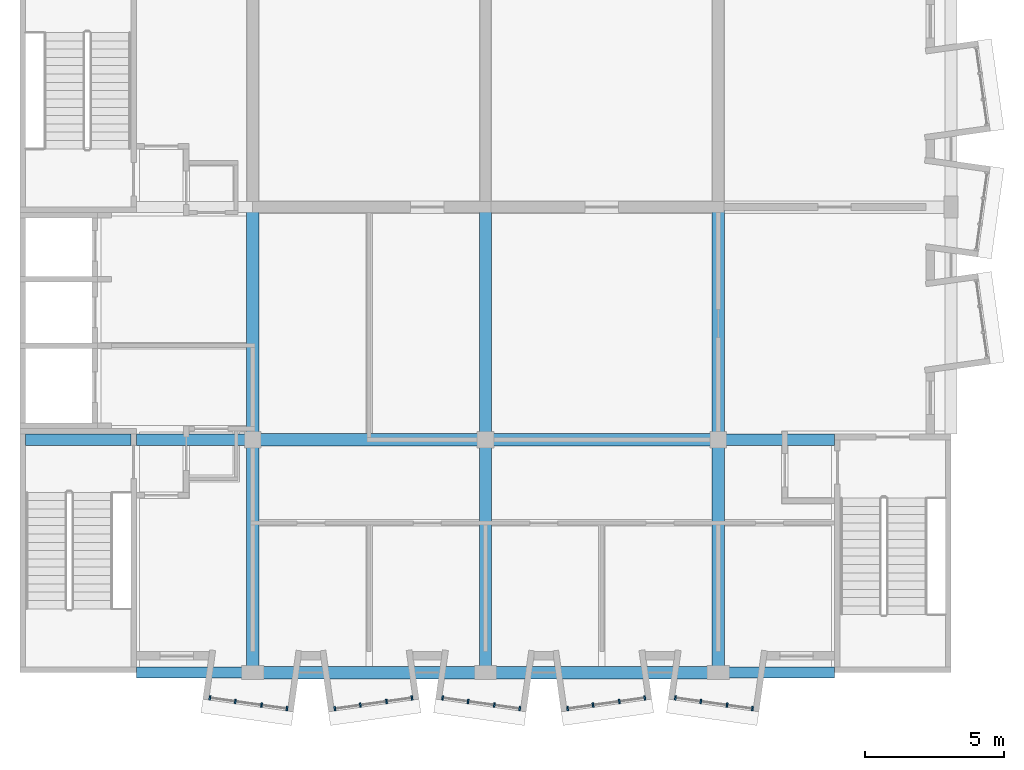
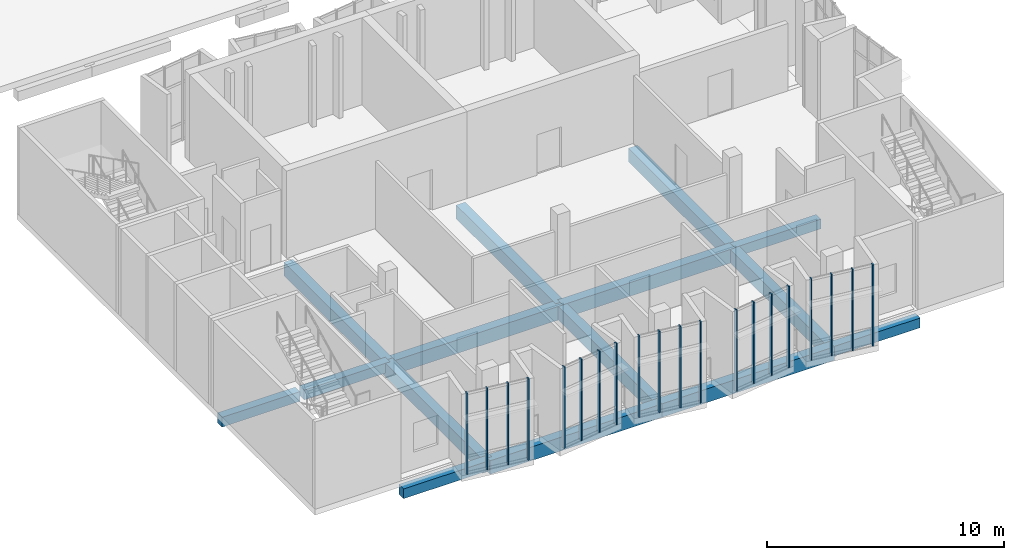
# One storey, part 2 of 19: 20 members, 15 beams, 5 elements without a shape of their own.
"""IFC4 building model written with IfcOpenShell, lengths in metres."""

from ifc_helpers import new_model, si_unit, direction, frame, origin, origin_2d, place, context, subcontext, project, spatial, rectangle, extrude, material, layer, layer_set, material_profile, profile_set, type_object, element, aggregate, save


model = new_model("IFC4")

# Units and contexts
model_context = context("Model", 3, precision=1e-05, world=origin(), true_north=direction((0.0, 1.0)))
body_context = subcontext(model_context, "Body", "Model", "MODEL_VIEW")
ifc_project = project(units=[si_unit("LENGTHUNIT", "METRE"), si_unit("AREAUNIT", "SQUARE_METRE"), si_unit("VOLUMEUNIT", "CUBIC_METRE"), si_unit("PLANEANGLEUNIT", "RADIAN"), si_unit("MASSUNIT", "GRAM", prefix="KILO")], contexts=[model_context])

# Site, building, storey
site_placement = place(None, origin())
site = spatial("IfcSite", under=ifc_project, at=site_placement, CompositionType="ELEMENT")
building_placement = place(site_placement, origin())
building = spatial("IfcBuilding", under=site, at=building_placement, Name="Kiln Court Media Centre", CompositionType="ELEMENT")
storey_placement = place(building_placement, frame((0.0, 0.0, 29.10009765625)))
storey = spatial("IfcBuildingStorey", under=building, at=storey_placement, Name="L06", CompositionType="ELEMENT", Elevation=29.10009765625)

# Curtain wall, members
ifc_material_1 = material(Name="Aluminium 6063-T6", Category="aluminium")
ifc_layer = layer(ifc_material_1, 0.1201171875)
ifc_layer_set = layer_set([ifc_layer], Name="Aluminium unitised bay curtain wall")
curtain_wall_type = type_object("IfcCurtainWallType", Name="Aluminium unitised bay curtain wall", PredefinedType="USERDEFINED", material=ifc_layer_set)
curtain_wall_1_placement = place(storey_placement, origin())
curtain_wall_1 = element("IfcCurtainWall", 1, at=curtain_wall_1_placement, inside=storey, type_object=curtain_wall_type, Name="BAY V6A-S-L06-40 front", ObjectType="UNITISED CURTAIN WALL", PredefinedType="USERDEFINED")
ifc_material_2 = material(Name="Aluminium 6063-T6", Category="aluminium")
ifc_material_profile_1 = material_profile(ifc_material_2, rectangle(XDim=0.06005859375, YDim=0.159912109375, at=origin_2d()), Name="Aluminium mullion 60x160")
ifc_profile_set_1 = profile_set([ifc_material_profile_1], Name="Aluminium 6063-T6")
member_type = type_object("IfcMemberType", Name="Aluminium mullion 60x160", PredefinedType="MULLION", material=ifc_profile_set_1)
member_1_placement = place(storey_placement, frame((6.852783203125, -0.91357421875, 0.0), z_axis=(0.0, 0.0, 1.0), x_axis=(0.990269562409, -0.139162472554, 0.0)))
member_1 = element("IfcMember", 2, at=member_1_placement, type_object=member_type, Name="CW6-10 mullion 1", PredefinedType="MULLION", context=body_context, shape_type="SweptSolid", body=[
    extrude(rectangle(XDim=0.06005859375, YDim=0.159912109375, at=origin_2d()), origin(), (0.0, 0.0, 1.0), 4.199951171875),
])
member_2_placement = place(storey_placement, frame((7.7705078125, -1.04248046875, 0.0), z_axis=(0.0, 0.0, 1.0), x_axis=(0.990269562409, -0.139162472554, 0.0)))
member_2 = element("IfcMember", 3, at=member_2_placement, type_object=member_type, Name="CW6-10 mullion 2", PredefinedType="MULLION", context=body_context, shape_type="SweptSolid", body=[
    extrude(rectangle(XDim=0.06005859375, YDim=0.159912109375, at=origin_2d()), origin(), (0.0, 0.0, 1.0), 4.199951171875),
])
member_3_placement = place(storey_placement, frame((8.7177734375, -1.17578125, 0.0), z_axis=(0.0, 0.0, 1.0), x_axis=(0.990269562409, -0.139162472554, 0.0)))
member_3 = element("IfcMember", 4, at=member_3_placement, type_object=member_type, Name="CW6-10 mullion 3", PredefinedType="MULLION", context=body_context, shape_type="SweptSolid", body=[
    extrude(rectangle(XDim=0.06005859375, YDim=0.159912109375, at=origin_2d()), origin(), (0.0, 0.0, 1.0), 4.199951171875),
])
member_4_placement = place(storey_placement, frame((9.635498046875, -1.3046875, 0.0), z_axis=(0.0, 0.0, 1.0), x_axis=(0.990269562409, -0.139162472554, 0.0)))
member_4 = element("IfcMember", 5, at=member_4_placement, type_object=member_type, Name="CW6-10 mullion 4", PredefinedType="MULLION", context=body_context, shape_type="SweptSolid", body=[
    extrude(rectangle(XDim=0.06005859375, YDim=0.159912109375, at=origin_2d()), origin(), (0.0, 0.0, 1.0), 4.199951171875),
])
aggregate(curtain_wall_1, [member_1, member_2, member_3, member_4])

curtain_wall_2_placement = place(storey_placement, origin())
curtain_wall_2 = element("IfcCurtainWall", 6, at=curtain_wall_2_placement, inside=storey, type_object=curtain_wall_type, Name="BAY V6A-S-L06-41 front", ObjectType="UNITISED CURTAIN WALL", PredefinedType="USERDEFINED")
member_5_placement = place(storey_placement, frame((11.364501953125, -1.3046875, 0.0), z_axis=(0.0, 0.0, 1.0), x_axis=(0.990269562409, 0.139162472554, 0.0)))
member_5 = element("IfcMember", 7, at=member_5_placement, type_object=member_type, Name="CW6-11 mullion 1", PredefinedType="MULLION", context=body_context, shape_type="SweptSolid", body=[
    extrude(rectangle(XDim=0.06005859375, YDim=0.159912109375, at=origin_2d()), origin(), (0.0, 0.0, 1.0), 4.199951171875),
])
member_6_placement = place(storey_placement, frame((12.2822265625, -1.17578125, 0.0), z_axis=(0.0, 0.0, 1.0), x_axis=(0.990269562409, 0.139162472554, 0.0)))
member_6 = element("IfcMember", 8, at=member_6_placement, type_object=member_type, Name="CW6-11 mullion 2", PredefinedType="MULLION", context=body_context, shape_type="SweptSolid", body=[
    extrude(rectangle(XDim=0.06005859375, YDim=0.159912109375, at=origin_2d()), origin(), (0.0, 0.0, 1.0), 4.199951171875),
])
member_7_placement = place(storey_placement, frame((13.2294921875, -1.04248046875, 0.0), z_axis=(0.0, 0.0, 1.0), x_axis=(0.990269562409, 0.139162472554, 0.0)))
member_7 = element("IfcMember", 9, at=member_7_placement, type_object=member_type, Name="CW6-11 mullion 3", PredefinedType="MULLION", context=body_context, shape_type="SweptSolid", body=[
    extrude(rectangle(XDim=0.06005859375, YDim=0.159912109375, at=origin_2d()), origin(), (0.0, 0.0, 1.0), 4.199951171875),
])
member_8_placement = place(storey_placement, frame((14.147216796875, -0.91357421875, 0.0), z_axis=(0.0, 0.0, 1.0), x_axis=(0.990269562409, 0.139162472554, 0.0)))
member_8 = element("IfcMember", 10, at=member_8_placement, type_object=member_type, Name="CW6-11 mullion 4", PredefinedType="MULLION", context=body_context, shape_type="SweptSolid", body=[
    extrude(rectangle(XDim=0.06005859375, YDim=0.159912109375, at=origin_2d()), origin(), (0.0, 0.0, 1.0), 4.199951171875),
])
aggregate(curtain_wall_2, [member_5, member_6, member_7, member_8])

curtain_wall_3_placement = place(storey_placement, origin())
curtain_wall_3 = element("IfcCurtainWall", 11, at=curtain_wall_3_placement, inside=storey, type_object=curtain_wall_type, Name="BAY V6A-S-L06-42 front", ObjectType="UNITISED CURTAIN WALL", PredefinedType="USERDEFINED")
member_9_placement = place(storey_placement, frame((15.2529296875, -0.91357421875, 0.0), z_axis=(0.0, 0.0, 1.0), x_axis=(0.990269562409, -0.139162472554, 0.0)))
member_9 = element("IfcMember", 12, at=member_9_placement, type_object=member_type, Name="CW6-12 mullion 1", PredefinedType="MULLION", context=body_context, shape_type="SweptSolid", body=[
    extrude(rectangle(XDim=0.06005859375, YDim=0.159912109375, at=origin_2d()), origin(), (0.0, 0.0, 1.0), 4.199951171875),
])
member_10_placement = place(storey_placement, frame((16.17041015625, -1.04248046875, 0.0), z_axis=(0.0, 0.0, 1.0), x_axis=(0.990269562409, -0.139162472554, 0.0)))
member_10 = element("IfcMember", 13, at=member_10_placement, type_object=member_type, Name="CW6-12 mullion 2", PredefinedType="MULLION", context=body_context, shape_type="SweptSolid", body=[
    extrude(rectangle(XDim=0.06005859375, YDim=0.159912109375, at=origin_2d()), origin(), (0.0, 0.0, 1.0), 4.199951171875),
])
member_11_placement = place(storey_placement, frame((17.117919921875, -1.17578125, 0.0), z_axis=(0.0, 0.0, 1.0), x_axis=(0.990269562409, -0.139162472554, 0.0)))
member_11 = element("IfcMember", 14, at=member_11_placement, type_object=member_type, Name="CW6-12 mullion 3", PredefinedType="MULLION", context=body_context, shape_type="SweptSolid", body=[
    extrude(rectangle(XDim=0.06005859375, YDim=0.159912109375, at=origin_2d()), origin(), (0.0, 0.0, 1.0), 4.199951171875),
])
member_12_placement = place(storey_placement, frame((18.035400390625, -1.3046875, 0.0), z_axis=(0.0, 0.0, 1.0), x_axis=(0.990269562409, -0.139162472554, 0.0)))
member_12 = element("IfcMember", 15, at=member_12_placement, type_object=member_type, Name="CW6-12 mullion 4", PredefinedType="MULLION", context=body_context, shape_type="SweptSolid", body=[
    extrude(rectangle(XDim=0.06005859375, YDim=0.159912109375, at=origin_2d()), origin(), (0.0, 0.0, 1.0), 4.199951171875),
])
aggregate(curtain_wall_3, [member_9, member_10, member_11, member_12])

curtain_wall_4_placement = place(storey_placement, origin())
curtain_wall_4 = element("IfcCurtainWall", 16, at=curtain_wall_4_placement, inside=storey, type_object=curtain_wall_type, Name="BAY V6A-S-L06-43 front", ObjectType="UNITISED CURTAIN WALL", PredefinedType="USERDEFINED")
member_13_placement = place(storey_placement, frame((19.764404296875, -1.3046875, 0.0), z_axis=(0.0, 0.0, 1.0), x_axis=(0.990269562409, 0.139162472554, 0.0)))
member_13 = element("IfcMember", 17, at=member_13_placement, type_object=member_type, Name="CW6-13 mullion 1", PredefinedType="MULLION", context=body_context, shape_type="SweptSolid", body=[
    extrude(rectangle(XDim=0.06005859375, YDim=0.159912109375, at=origin_2d()), origin(), (0.0, 0.0, 1.0), 4.199951171875),
])
member_14_placement = place(storey_placement, frame((20.68212890625, -1.17578125, 0.0), z_axis=(0.0, 0.0, 1.0), x_axis=(0.990269562409, 0.139162472554, 0.0)))
member_14 = element("IfcMember", 18, at=member_14_placement, type_object=member_type, Name="CW6-13 mullion 2", PredefinedType="MULLION", context=body_context, shape_type="SweptSolid", body=[
    extrude(rectangle(XDim=0.06005859375, YDim=0.159912109375, at=origin_2d()), origin(), (0.0, 0.0, 1.0), 4.199951171875),
])
member_15_placement = place(storey_placement, frame((21.629638671875, -1.04248046875, 0.0), z_axis=(0.0, 0.0, 1.0), x_axis=(0.990269562409, 0.139162472554, 0.0)))
member_15 = element("IfcMember", 19, at=member_15_placement, type_object=member_type, Name="CW6-13 mullion 3", PredefinedType="MULLION", context=body_context, shape_type="SweptSolid", body=[
    extrude(rectangle(XDim=0.06005859375, YDim=0.159912109375, at=origin_2d()), origin(), (0.0, 0.0, 1.0), 4.199951171875),
])
member_16_placement = place(storey_placement, frame((22.547119140625, -0.91357421875, 0.0), z_axis=(0.0, 0.0, 1.0), x_axis=(0.990269562409, 0.139162472554, 0.0)))
member_16 = element("IfcMember", 20, at=member_16_placement, type_object=member_type, Name="CW6-13 mullion 4", PredefinedType="MULLION", context=body_context, shape_type="SweptSolid", body=[
    extrude(rectangle(XDim=0.06005859375, YDim=0.159912109375, at=origin_2d()), origin(), (0.0, 0.0, 1.0), 4.199951171875),
])
aggregate(curtain_wall_4, [member_13, member_14, member_15, member_16])

curtain_wall_5_placement = place(storey_placement, origin())
curtain_wall_5 = element("IfcCurtainWall", 21, at=curtain_wall_5_placement, inside=storey, type_object=curtain_wall_type, Name="BAY V6A-S-L06-44 front", ObjectType="UNITISED CURTAIN WALL", PredefinedType="USERDEFINED")
member_17_placement = place(storey_placement, frame((23.65283203125, -0.91357421875, 0.0), z_axis=(0.0, 0.0, 1.0), x_axis=(0.990269562409, -0.139162472554, 0.0)))
member_17 = element("IfcMember", 22, at=member_17_placement, type_object=member_type, Name="CW6-14 mullion 1", PredefinedType="MULLION", context=body_context, shape_type="SweptSolid", body=[
    extrude(rectangle(XDim=0.06005859375, YDim=0.159912109375, at=origin_2d()), origin(), (0.0, 0.0, 1.0), 4.199951171875),
])
member_18_placement = place(storey_placement, frame((24.570556640625, -1.04248046875, 0.0), z_axis=(0.0, 0.0, 1.0), x_axis=(0.990269562409, -0.139162472554, 0.0)))
member_18 = element("IfcMember", 23, at=member_18_placement, type_object=member_type, Name="CW6-14 mullion 2", PredefinedType="MULLION", context=body_context, shape_type="SweptSolid", body=[
    extrude(rectangle(XDim=0.06005859375, YDim=0.159912109375, at=origin_2d()), origin(), (0.0, 0.0, 1.0), 4.199951171875),
])
member_19_placement = place(storey_placement, frame((25.517822265625, -1.17578125, 0.0), z_axis=(0.0, 0.0, 1.0), x_axis=(0.990269562409, -0.139162472554, 0.0)))
member_19 = element("IfcMember", 24, at=member_19_placement, type_object=member_type, Name="CW6-14 mullion 3", PredefinedType="MULLION", context=body_context, shape_type="SweptSolid", body=[
    extrude(rectangle(XDim=0.06005859375, YDim=0.159912109375, at=origin_2d()), origin(), (0.0, 0.0, 1.0), 4.199951171875),
])
member_20_placement = place(storey_placement, frame((26.435546875, -1.3046875, 0.0), z_axis=(0.0, 0.0, 1.0), x_axis=(0.990269562409, -0.139162472554, 0.0)))
member_20 = element("IfcMember", 25, at=member_20_placement, type_object=member_type, Name="CW6-14 mullion 4", PredefinedType="MULLION", context=body_context, shape_type="SweptSolid", body=[
    extrude(rectangle(XDim=0.06005859375, YDim=0.159912109375, at=origin_2d()), origin(), (0.0, 0.0, 1.0), 4.199951171875),
])
aggregate(curtain_wall_5, [member_17, member_18, member_19, member_20])

# Beams
ifc_material_3 = material(Name="Concrete C30/37", Category="concrete")
ifc_material_profile_2 = material_profile(ifc_material_3, rectangle(XDim=0.39990234375, YDim=0.5, at=origin_2d()), Name="RC 400x500")
ifc_profile_set_2 = profile_set([ifc_material_profile_2], Name="Concrete C30/37")
beam_type_1 = type_object("IfcBeamType", Name="Concrete C30/37 beam 400x500", PredefinedType="BEAM", material=ifc_profile_set_2)
for number, where, z_axis, x_axis, name in (
    (26, (4.199951171875, 0.0, -0.550048828125), (1.0, 0.0, 0.0), (0.0, 1.0, 0.0), "L06-B-1011"),
    (27, (25.199951171875, 0.0, -0.550048828125), (1.0, 0.0, 0.0), (0.0, 1.0, 0.0), "L06-B-1014"),
):
    element("IfcBeam", number, at=place(storey_placement, frame(where, z_axis=z_axis, x_axis=x_axis)), inside=storey, type_object=beam_type_1, Name=name, PredefinedType="BEAM", context=body_context, shape_type="SweptSolid", body=[
        extrude(rectangle(XDim=0.39990234375, YDim=0.5, at=origin_2d()), origin(), (0.0, 0.0, 1.0), 4.199951171875),
    ])
beam_1_placement = place(storey_placement, frame((0.199951171875, 8.39990234375, -0.550048828125), z_axis=(1.0, 0.0, 0.0), x_axis=(0.0, 1.0, 0.0)))
element("IfcBeam", 28, at=beam_1_placement, inside=storey, type_object=beam_type_1, Name="L06-B-1015", PredefinedType="BEAM", context=body_context, shape_type="SweptSolid", body=[
    extrude(rectangle(XDim=0.39990234375, YDim=0.5, at=origin_2d()), origin(), (0.0, 0.0, 1.0), 3.800048828125),
])
for number, where, z_axis, x_axis, name in (
    (29, (4.199951171875, 8.39990234375, -0.550048828125), (1.0, 0.0, 0.0), (0.0, 1.0, 0.0), "L06-B-1016"),
    (30, (25.199951171875, 8.39990234375, -0.550048828125), (1.0, 0.0, 0.0), (0.0, 1.0, 0.0), "L06-B-1019"),
):
    element("IfcBeam", number, at=place(storey_placement, frame(where, z_axis=z_axis, x_axis=x_axis)), inside=storey, type_object=beam_type_1, Name=name, PredefinedType="BEAM", context=body_context, shape_type="SweptSolid", body=[
        extrude(rectangle(XDim=0.39990234375, YDim=0.5, at=origin_2d()), origin(), (0.0, 0.0, 1.0), 4.199951171875),
    ])
ifc_material_4 = material(Name="Concrete C30/37", Category="concrete")
ifc_material_profile_3 = material_profile(ifc_material_4, rectangle(XDim=0.449951171875, YDim=0.699951171875, at=origin_2d()), Name="RC 450x700")
ifc_profile_set_3 = profile_set([ifc_material_profile_3], Name="Concrete C30/37")
beam_type_2 = type_object("IfcBeamType", Name="Concrete C30/37 beam 450x700", PredefinedType="BEAM", material=ifc_profile_set_3)
beam_2_placement = place(storey_placement, frame((8.39990234375, 0.0, -0.650146484375), z_axis=(0.0, 1.0, 0.0), x_axis=(-1.0, 0.0, 0.0)))
element("IfcBeam", 31, at=beam_2_placement, inside=storey, type_object=beam_type_2, Name="L06-B-1000", PredefinedType="BEAM", context=body_context, shape_type="SweptSolid", body=[
    extrude(rectangle(XDim=0.449951171875, YDim=0.699951171875, at=origin_2d()), origin(), (0.0, 0.0, 1.0), 8.39990234375),
])
beam_3_placement = place(storey_placement, frame((8.39990234375, 8.39990234375, -0.650146484375), z_axis=(0.0, 1.0, 0.0), x_axis=(-1.0, 0.0, 0.0)))
element("IfcBeam", 32, at=beam_3_placement, inside=storey, type_object=beam_type_2, Name="L06-B-1001", PredefinedType="BEAM", context=body_context, shape_type="SweptSolid", body=[
    extrude(rectangle(XDim=0.449951171875, YDim=0.699951171875, at=origin_2d()), origin(), (0.0, 0.0, 1.0), 8.400146484375),
])
beam_4_placement = place(storey_placement, frame((16.800048828125, 0.0, -0.650146484375), z_axis=(0.0, 1.0, 0.0), x_axis=(-1.0, 0.0, 0.0)))
element("IfcBeam", 33, at=beam_4_placement, inside=storey, type_object=beam_type_2, Name="L06-B-1003", PredefinedType="BEAM", context=body_context, shape_type="SweptSolid", body=[
    extrude(rectangle(XDim=0.449951171875, YDim=0.699951171875, at=origin_2d()), origin(), (0.0, 0.0, 1.0), 8.39990234375),
])
beam_5_placement = place(storey_placement, frame((16.800048828125, 8.39990234375, -0.650146484375), z_axis=(0.0, 1.0, 0.0), x_axis=(-1.0, 0.0, 0.0)))
element("IfcBeam", 34, at=beam_5_placement, inside=storey, type_object=beam_type_2, Name="L06-B-1004", PredefinedType="BEAM", context=body_context, shape_type="SweptSolid", body=[
    extrude(rectangle(XDim=0.449951171875, YDim=0.699951171875, at=origin_2d()), origin(), (0.0, 0.0, 1.0), 8.400146484375),
])
beam_6_placement = place(storey_placement, frame((25.199951171875, 0.0, -0.650146484375), z_axis=(0.0, 1.0, 0.0), x_axis=(-1.0, 0.0, 0.0)))
element("IfcBeam", 35, at=beam_6_placement, inside=storey, type_object=beam_type_2, Name="L06-B-1006", PredefinedType="BEAM", context=body_context, shape_type="SweptSolid", body=[
    extrude(rectangle(XDim=0.449951171875, YDim=0.699951171875, at=origin_2d()), origin(), (0.0, 0.0, 1.0), 8.39990234375),
])
for number, where, z_axis, x_axis, name in (
    (36, (25.199951171875, 8.39990234375, -0.650146484375), (0.0, 1.0, 0.0), (-1.0, 0.0, 0.0), "L06-B-1007"),
    (37, (8.39990234375, 0.0, -0.650146484375), (1.0, 0.0, 0.0), (0.0, 1.0, 0.0), "L06-B-1012"),
):
    element("IfcBeam", number, at=place(storey_placement, frame(where, z_axis=z_axis, x_axis=x_axis)), inside=storey, type_object=beam_type_2, Name=name, PredefinedType="BEAM", context=body_context, shape_type="SweptSolid", body=[
        extrude(rectangle(XDim=0.449951171875, YDim=0.699951171875, at=origin_2d()), origin(), (0.0, 0.0, 1.0), 8.400146484375),
    ])
beam_7_placement = place(storey_placement, frame((16.800048828125, 0.0, -0.650146484375), z_axis=(1.0, 0.0, 0.0), x_axis=(0.0, 1.0, 0.0)))
element("IfcBeam", 38, at=beam_7_placement, inside=storey, type_object=beam_type_2, Name="L06-B-1013", PredefinedType="BEAM", context=body_context, shape_type="SweptSolid", body=[
    extrude(rectangle(XDim=0.449951171875, YDim=0.699951171875, at=origin_2d()), origin(), (0.0, 0.0, 1.0), 8.39990234375),
])
beam_8_placement = place(storey_placement, frame((8.39990234375, 8.39990234375, -0.650146484375), z_axis=(1.0, 0.0, 0.0), x_axis=(0.0, 1.0, 0.0)))
element("IfcBeam", 39, at=beam_8_placement, inside=storey, type_object=beam_type_2, Name="L06-B-1017", PredefinedType="BEAM", context=body_context, shape_type="SweptSolid", body=[
    extrude(rectangle(XDim=0.449951171875, YDim=0.699951171875, at=origin_2d()), origin(), (0.0, 0.0, 1.0), 8.400146484375),
])
beam_9_placement = place(storey_placement, frame((16.800048828125, 8.39990234375, -0.650146484375), z_axis=(1.0, 0.0, 0.0), x_axis=(0.0, 1.0, 0.0)))
element("IfcBeam", 40, at=beam_9_placement, inside=storey, type_object=beam_type_2, Name="L06-B-1018", PredefinedType="BEAM", context=body_context, shape_type="SweptSolid", body=[
    extrude(rectangle(XDim=0.449951171875, YDim=0.699951171875, at=origin_2d()), origin(), (0.0, 0.0, 1.0), 8.39990234375),
])

save(model, "model.ifc")
